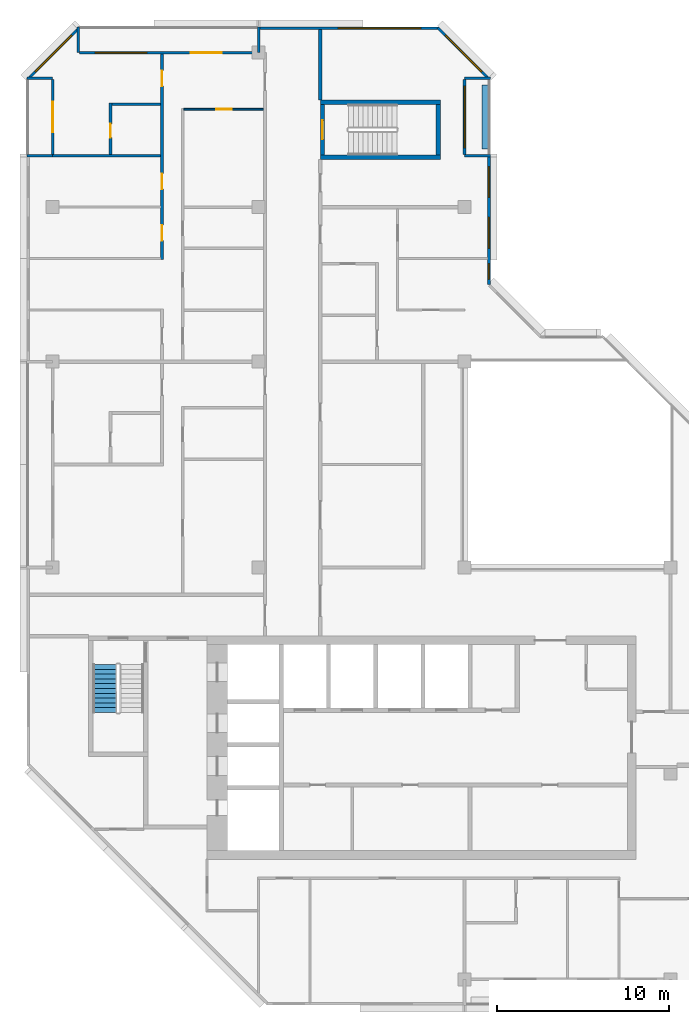
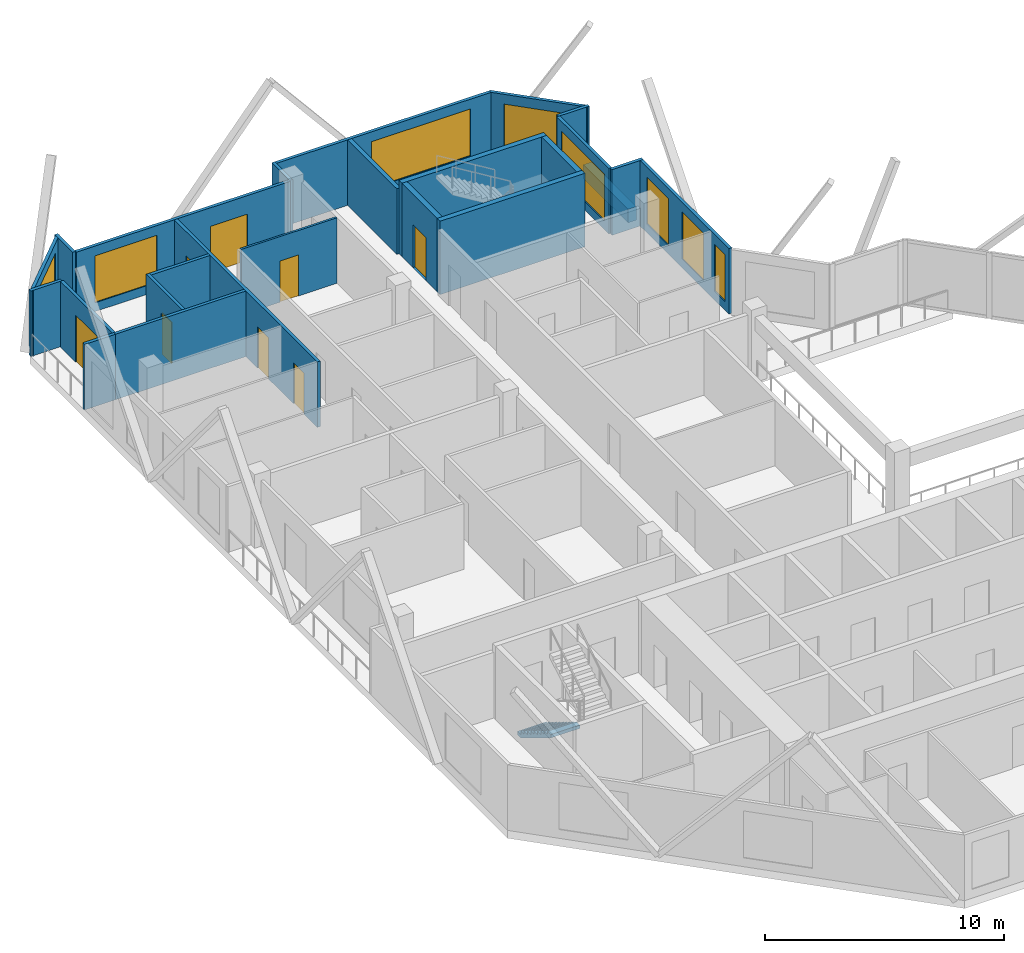
# One storey, part 9 of 12: 24 walls, 8 doors, 8 windows, 1 stair flight, 16 openings, 1 element without a shape of its own.
"""IFC4 building model written with IfcOpenShell, lengths in metres."""

from ifc_helpers import new_model, si_unit, direction, frame, frame_2d, origin, place, context, subcontext, project, spatial, polyline, rectangle, outline, extrude, material, layer, layer_set, type_object, element, fill, aggregate, save


model = new_model("IFC4")

# Units and contexts
model_context = context("Model", 3, precision=1e-05, world=origin(), true_north=direction((0.0, 1.0)))
body_context = subcontext(model_context, "Body", "Model", "MODEL_VIEW")
ifc_project = project(units=[si_unit("LENGTHUNIT", "METRE"), si_unit("AREAUNIT", "SQUARE_METRE"), si_unit("VOLUMEUNIT", "CUBIC_METRE"), si_unit("PLANEANGLEUNIT", "RADIAN"), si_unit("MASSUNIT", "GRAM", prefix="KILO")], contexts=[model_context])

# Site, building, storey
site_placement = place(None, origin())
site = spatial("IfcSite", under=ifc_project, at=site_placement, CompositionType="ELEMENT")
building_placement = place(site_placement, origin())
building = spatial("IfcBuilding", under=site, at=building_placement, Name="Chenar Terraces", CompositionType="ELEMENT")
storey_placement = place(building_placement, frame((0.0, 0.0, 338.89990234375)))
storey = spatial("IfcBuildingStorey", under=building, at=storey_placement, Name="L78", CompositionType="ELEMENT", Elevation=338.89990234375)

# Walls
ifc_material_1 = material(Name="Concrete C50/60", Category="concrete")
ifc_layer_1 = layer(ifc_material_1, 0.25)
ifc_layer_set_1 = layer_set([ifc_layer_1], Name="Concrete C50/60")
wall_type_1 = type_object("IfcWallType", Name="Core wall 250 Concrete C50/60", PredefinedType="SHEAR", material=ifc_layer_set_1)
for number, where, z_axis, x_axis, name in (
    (1, (15.60009765625, 47.89990234375, 0.0), (0.0, 0.0, 1.0), (1.0, 0.0, 0.0), "Core wall ST4_S L78"),
    (2, (15.60009765625, 51.10009765625, 0.0), (0.0, 0.0, 1.0), (1.0, 0.0, 0.0), "Core wall ST4_N L78"),
):
    element("IfcWall", number, at=place(storey_placement, frame(where, z_axis=z_axis, x_axis=x_axis)), inside=storey, type_object=wall_type_1, Name=name, PredefinedType="SHEAR", context=body_context, shape_type="SweptSolid", body=[
        extrude(rectangle(XDim=7.0, YDim=0.25, at=frame_2d((3.5, 0.0))), origin(), (0.0, 0.0, 1.0), 3.75),
    ])

# Wall, opening, door
wall_1_placement = place(storey_placement, frame((15.72509765625, 48.02490234375, 0.0), z_axis=(0.0, 0.0, 1.0), x_axis=(0.0, 1.0, 0.0)))
wall_1 = element("IfcWall", 3, at=wall_1_placement, inside=storey, type_object=wall_type_1, Name="Core wall ST4_W L78", PredefinedType="SHEAR", context=body_context, shape_type="SweptSolid", body=[
    extrude(rectangle(XDim=2.9501953125, YDim=0.25, at=frame_2d((1.47509765625, 0.0))), origin(), (0.0, 0.0, 1.0), 3.75),
])
opening_1_placement = place(wall_1_placement, frame((0.925048828125, 0.0, 0.0)))
opening_1 = element("IfcOpeningElement", 4, at=opening_1_placement, cuts=wall_1, Name="Opening DL78-C9", PredefinedType="OPENING", context=body_context, shape_type="SweptSolid", body=[
    extrude(rectangle(XDim=1.10009765625, YDim=2.199951171875, at=frame_2d((0.550048828125, 1.10009765625))), frame((0.0, 0.135009765625, 0.0), z_axis=(0.0, -1.0, 0.0), x_axis=(1.0, 0.0, 0.0)), (0.0, 0.0, 1.0), 0.27001953125),
])
ifc_material_2 = material(Name="Steel-framed fire-resisting door leaf", Category="steel")
door_type_1 = type_object("IfcDoorType", Name="Stair fire door FD60 1100 x 2200", OperationType="SINGLE_SWING_LEFT", PredefinedType="DOOR", material=ifc_material_2)
door_1_placement = place(opening_1_placement, frame((1.10009765625, 0.0, 0.0), z_axis=(0.0, 0.0, 1.0), x_axis=(-1.0, 0.0, 0.0)))
door_1 = element("IfcDoor", 5, at=door_1_placement, inside=storey, type_object=door_type_1, Name="Stair door DL78-C9", OperationType="SINGLE_SWING_RIGHT", OverallHeight=2.199951171875, OverallWidth=1.10009765625, PredefinedType="DOOR", context=body_context, shape_type="SweptSolid", body=[
    extrude(rectangle(XDim=1.10009765625, YDim=2.199951171875, at=frame_2d((0.550048828125, 1.10009765625))), frame((0.0, 0.02490234375, 0.0), z_axis=(0.0, -1.0, 0.0), x_axis=(1.0, 0.0, 0.0)), (0.0, 0.0, 1.0), 0.050048828125),
])
fill(opening_1, door_1)

# Walls
wall_2_placement = place(storey_placement, frame((22.47509765625, 48.02490234375, 0.0), z_axis=(0.0, 0.0, 1.0), x_axis=(0.0, 1.0, 0.0)))
element("IfcWall", 6, at=wall_2_placement, inside=storey, type_object=wall_type_1, Name="Core wall ST4_E L78", PredefinedType="SHEAR", context=body_context, shape_type="SweptSolid", body=[
    extrude(rectangle(XDim=2.9501953125, YDim=0.25, at=frame_2d((1.47509765625, 0.0))), origin(), (0.0, 0.0, 1.0), 3.75),
])
ifc_material_3 = material(Name="Gypsum board on steel studs with fire boards", Category="steel")
ifc_layer_2 = layer(ifc_material_3, 0.199951171875)
ifc_layer_set_2 = layer_set([ifc_layer_2], Name="Gypsum board on steel studs with fire boards")
wall_type_2 = type_object("IfcWallType", Name="Corridor wall 200", PredefinedType="PARTITIONING", material=ifc_layer_set_2)
wall_3_placement = place(storey_placement, frame((15.60009765625, 51.22509765625, 0.0), z_axis=(0.0, 0.0, 1.0), x_axis=(0.0, 1.0, 0.0)))
element("IfcWall", 7, at=wall_3_placement, inside=storey, type_object=wall_type_2, Name="Partition L78-032", PredefinedType="PARTITIONING", context=body_context, shape_type="SweptSolid", body=[
    extrude(rectangle(XDim=4.125, YDim=0.199951171875, at=frame_2d((2.0625, 0.0))), origin(), (0.0, 0.0, 1.0), 3.35009765625),
])

# Wall, openings, windows
ifc_material_4 = material(Name="Aluminium framed glazing", Category="aluminium")
ifc_layer_3 = layer(ifc_material_4, 0.14990234375)
ifc_layer_set_3 = layer_set([ifc_layer_3], Name="Aluminium framed glazing")
wall_type_3 = type_object("IfcWallType", Name="Glazed flush facade wall 150", PredefinedType="SOLIDWALL", material=ifc_layer_set_3)
wall_4_placement = place(storey_placement, frame((25.425048828125, 40.5, 0.0), z_axis=(0.0, 0.0, 1.0), x_axis=(0.0, 1.0, 0.0)))
wall_4 = element("IfcWall", 8, at=wall_4_placement, inside=storey, type_object=wall_type_3, Name="Glazed flush facade wall", PredefinedType="SOLIDWALL", context=body_context, shape_type="SweptSolid", body=[
    extrude(rectangle(XDim=7.425048828125, YDim=0.14990234375, at=frame_2d((3.71240234375, 0.0))), origin(), (0.0, 0.0, 1.0), 3.35009765625),
])
opening_2_placement = place(wall_4_placement, frame((0.300048828125, 0.0, 0.449951171875)))
opening_2 = element("IfcOpeningElement", 9, at=opening_2_placement, cuts=wall_4, Name="Opening W90x240", PredefinedType="OPENING", context=body_context, shape_type="SweptSolid", body=[
    extrude(rectangle(XDim=0.89990234375, YDim=2.39990234375, at=frame_2d((0.449951171875, 1.199951171875))), frame((0.0, 0.0849609375, 0.0), z_axis=(0.0, -1.0, 0.0), x_axis=(1.0, 0.0, 0.0)), (0.0, 0.0, 1.0), 0.169921875),
])
opening_3_placement = place(wall_4_placement, frame((2.10009765625, 0.0, 0.449951171875)))
opening_3 = element("IfcOpeningElement", 10, at=opening_3_placement, cuts=wall_4, Name="Opening W180x240", PredefinedType="OPENING", context=body_context, shape_type="SweptSolid", body=[
    extrude(rectangle(XDim=1.800048828125, YDim=2.39990234375, at=frame_2d((0.89990234375, 1.199951171875))), frame((0.0, 0.0849609375, 0.0), z_axis=(0.0, -1.0, 0.0), x_axis=(1.0, 0.0, 0.0)), (0.0, 0.0, 1.0), 0.169921875),
])
opening_4_placement = place(wall_4_placement, frame((5.0625, 0.0, 0.449951171875)))
opening_4 = element("IfcOpeningElement", 11, at=opening_4_placement, cuts=wall_4, Name="Opening W180x240", PredefinedType="OPENING", context=body_context, shape_type="SweptSolid", body=[
    extrude(rectangle(XDim=1.800048828125, YDim=2.39990234375, at=frame_2d((0.89990234375, 1.199951171875))), frame((0.0, 0.0849609375, 0.0), z_axis=(0.0, -1.0, 0.0), x_axis=(1.0, 0.0, 0.0)), (0.0, 0.0, 1.0), 0.169921875),
])
ifc_material_5 = material(Name="Low emissivity double glazing, aluminium frame", Category="aluminium")
window_type_1 = type_object("IfcWindowType", Name="Fixed light 1800 x 2400", PartitioningType="SINGLE_PANEL", PredefinedType="WINDOW", material=ifc_material_5)
window_1_placement = place(opening_3_placement, origin())
window_1 = element("IfcWindow", 12, at=window_1_placement, inside=storey, type_object=window_type_1, Name="Window", OverallHeight=2.39990234375, OverallWidth=1.800048828125, PartitioningType="SINGLE_PANEL", PredefinedType="WINDOW", context=body_context, shape_type="SweptSolid", body=[
    extrude(rectangle(XDim=1.800048828125, YDim=2.39990234375, at=frame_2d((0.89990234375, 1.199951171875))), frame((0.0, 0.030029296875, 0.0), z_axis=(0.0, -1.0, 0.0), x_axis=(1.0, 0.0, 0.0)), (0.0, 0.0, 1.0), 0.06005859375),
])
fill(opening_3, window_1)
window_2_placement = place(opening_4_placement, origin())
window_2 = element("IfcWindow", 13, at=window_2_placement, inside=storey, type_object=window_type_1, Name="Window", OverallHeight=2.39990234375, OverallWidth=1.800048828125, PartitioningType="SINGLE_PANEL", PredefinedType="WINDOW", context=body_context, shape_type="SweptSolid", body=[
    extrude(rectangle(XDim=1.800048828125, YDim=2.39990234375, at=frame_2d((0.89990234375, 1.199951171875))), frame((0.0, 0.030029296875, 0.0), z_axis=(0.0, -1.0, 0.0), x_axis=(1.0, 0.0, 0.0)), (0.0, 0.0, 1.0), 0.06005859375),
])
fill(opening_4, window_2)
ifc_material_6 = material(Name="Low emissivity double glazing, aluminium frame", Category="aluminium")
window_type_2 = type_object("IfcWindowType", Name="Fixed light 900 x 2400", PartitioningType="SINGLE_PANEL", PredefinedType="WINDOW", material=ifc_material_6)
window_3_placement = place(opening_2_placement, origin())
window_3 = element("IfcWindow", 14, at=window_3_placement, inside=storey, type_object=window_type_2, Name="Window", OverallHeight=2.39990234375, OverallWidth=0.89990234375, PartitioningType="SINGLE_PANEL", PredefinedType="WINDOW", context=body_context, shape_type="SweptSolid", body=[
    extrude(rectangle(XDim=0.89990234375, YDim=2.39990234375, at=frame_2d((0.449951171875, 1.199951171875))), frame((0.0, 0.030029296875, 0.0), z_axis=(0.0, -1.0, 0.0), x_axis=(1.0, 0.0, 0.0)), (0.0, 0.0, 1.0), 0.06005859375),
])
fill(opening_2, window_3)

# Wall, opening, window
wall_5_placement = place(storey_placement, frame((22.5, 55.425048828125, 0.0), z_axis=(0.0, 0.0, 1.0), x_axis=(-1.0, 0.0, 0.0)))
wall_5 = element("IfcWall", 15, at=wall_5_placement, inside=storey, type_object=wall_type_3, Name="Glazed flush facade wall", PredefinedType="SOLIDWALL", context=body_context, shape_type="SweptSolid", body=[
    extrude(rectangle(XDim=10.425048828125, YDim=0.14990234375, at=frame_2d((5.21240234375, 0.0))), origin(), (0.0, 0.0, 1.0), 3.35009765625),
])
opening_5_placement = place(wall_5_placement, frame((1.050048828125, 0.0, 0.449951171875)))
opening_5 = element("IfcOpeningElement", 16, at=opening_5_placement, cuts=wall_5, Name="Opening W480x240", PredefinedType="OPENING", context=body_context, shape_type="SweptSolid", body=[
    extrude(rectangle(XDim=4.800048828125, YDim=2.39990234375, at=frame_2d((2.39990234375, 1.199951171875))), frame((0.0, 0.0849609375, 0.0), z_axis=(0.0, -1.0, 0.0), x_axis=(1.0, 0.0, 0.0)), (0.0, 0.0, 1.0), 0.169921875),
])
ifc_material_7 = material(Name="Low emissivity double glazing, aluminium frame", Category="aluminium")
window_type_3 = type_object("IfcWindowType", Name="Fixed light 4800 x 2400", PartitioningType="SINGLE_PANEL", PredefinedType="WINDOW", material=ifc_material_7)
window_4_placement = place(opening_5_placement, origin())
window_4 = element("IfcWindow", 17, at=window_4_placement, inside=storey, type_object=window_type_3, Name="Window", OverallHeight=2.39990234375, OverallWidth=4.800048828125, PartitioningType="SINGLE_PANEL", PredefinedType="WINDOW", context=body_context, shape_type="SweptSolid", body=[
    extrude(rectangle(XDim=4.800048828125, YDim=2.39990234375, at=frame_2d((2.39990234375, 1.199951171875))), frame((0.0, 0.030029296875, 0.0), z_axis=(0.0, -1.0, 0.0), x_axis=(1.0, 0.0, 0.0)), (0.0, 0.0, 1.0), 0.06005859375),
])
fill(opening_5, window_4)

ifc_material_8 = material(Name="Aluminium framed glazing", Category="aluminium")
ifc_layer_4 = layer(ifc_material_8, 0.14990234375)
ifc_layer_set_4 = layer_set([ifc_layer_4], Name="Aluminium framed glazing")
wall_type_4 = type_object("IfcWallType", Name="Glazed loggia back wall 150", PredefinedType="SOLIDWALL", material=ifc_layer_set_4)
wall_6_placement = place(storey_placement, frame((24.0, 48.074951171875, 0.0), z_axis=(0.0, 0.0, 1.0), x_axis=(0.0, 1.0, 0.0)))
wall_6 = element("IfcWall", 18, at=wall_6_placement, inside=storey, type_object=wall_type_4, Name="Glazed loggia back wall", PredefinedType="SOLIDWALL", context=body_context, shape_type="SweptSolid", body=[
    extrude(rectangle(XDim=4.35009765625, YDim=0.14990234375, at=frame_2d((2.175048828125, 0.0))), origin(), (0.0, 0.0, 1.0), 3.35009765625),
])
opening_6_placement = place(wall_6_placement, frame((0.375, 0.0, 0.449951171875)))
opening_6 = element("IfcOpeningElement", 19, at=opening_6_placement, cuts=wall_6, Name="Opening W360x240", PredefinedType="OPENING", context=body_context, shape_type="SweptSolid", body=[
    extrude(rectangle(XDim=3.60009765625, YDim=2.39990234375, at=frame_2d((1.800048828125, 1.199951171875))), frame((0.0, 0.0849609375, 0.0), z_axis=(0.0, -1.0, 0.0), x_axis=(1.0, 0.0, 0.0)), (0.0, 0.0, 1.0), 0.169921875),
])
ifc_material_9 = material(Name="Low emissivity double glazing, aluminium frame", Category="aluminium")
window_type_4 = type_object("IfcWindowType", Name="Fixed light 3600 x 2400", PartitioningType="SINGLE_PANEL", PredefinedType="WINDOW", material=ifc_material_9)
window_5_placement = place(opening_6_placement, origin())
window_5 = element("IfcWindow", 20, at=window_5_placement, inside=storey, type_object=window_type_4, Name="Window", OverallHeight=2.39990234375, OverallWidth=3.60009765625, PartitioningType="SINGLE_PANEL", PredefinedType="WINDOW", context=body_context, shape_type="SweptSolid", body=[
    extrude(rectangle(XDim=3.60009765625, YDim=2.39990234375, at=frame_2d((1.800048828125, 1.199951171875))), frame((0.0, 0.030029296875, 0.0), z_axis=(0.0, -1.0, 0.0), x_axis=(1.0, 0.0, 0.0)), (0.0, 0.0, 1.0), 0.06005859375),
])
fill(opening_6, window_5)

# Wall, openings, window, door
wall_7_placement = place(storey_placement, frame((11.925048828125, 54.0, 0.0), z_axis=(0.0, 0.0, 1.0), x_axis=(-1.0, 0.0, 0.0)))
wall_7 = element("IfcWall", 21, at=wall_7_placement, inside=storey, type_object=wall_type_4, Name="Glazed loggia back wall", PredefinedType="SOLIDWALL", context=body_context, shape_type="SweptSolid", body=[
    extrude(rectangle(XDim=10.35009765625, YDim=0.14990234375, at=frame_2d((5.175048828125, 0.0))), origin(), (0.0, 0.0, 1.0), 3.35009765625),
])
opening_7_placement = place(wall_7_placement, frame((2.074951171875, 0.0, 0.0)))
opening_7 = element("IfcOpeningElement", 22, at=opening_7_placement, cuts=wall_7, Name="Opening DL78-G1", PredefinedType="OPENING", context=body_context, shape_type="SweptSolid", body=[
    extrude(rectangle(XDim=1.800048828125, YDim=2.39990234375, at=frame_2d((0.89990234375, 1.199951171875))), frame((0.0, 0.0849609375, 0.0), z_axis=(0.0, -1.0, 0.0), x_axis=(1.0, 0.0, 0.0)), (0.0, 0.0, 1.0), 0.169921875),
])
opening_8_placement = place(wall_7_placement, frame((6.449951171875, 0.0, 0.449951171875)))
opening_8 = element("IfcOpeningElement", 23, at=opening_8_placement, cuts=wall_7, Name="Opening W300x240", PredefinedType="OPENING", context=body_context, shape_type="SweptSolid", body=[
    extrude(rectangle(XDim=3.0, YDim=2.39990234375, at=frame_2d((1.5, 1.199951171875))), frame((0.0, 0.0849609375, 0.0), z_axis=(0.0, -1.0, 0.0), x_axis=(1.0, 0.0, 0.0)), (0.0, 0.0, 1.0), 0.169921875),
])
ifc_material_10 = material(Name="Low emissivity double glazing, aluminium frame", Category="aluminium")
window_type_5 = type_object("IfcWindowType", Name="Fixed light 3000 x 2400", PartitioningType="SINGLE_PANEL", PredefinedType="WINDOW", material=ifc_material_10)
window_6_placement = place(opening_8_placement, origin())
window_6 = element("IfcWindow", 24, at=window_6_placement, inside=storey, type_object=window_type_5, Name="Window", OverallHeight=2.39990234375, OverallWidth=3.0, PartitioningType="SINGLE_PANEL", PredefinedType="WINDOW", context=body_context, shape_type="SweptSolid", body=[
    extrude(rectangle(XDim=3.0, YDim=2.39990234375, at=frame_2d((1.5, 1.199951171875))), frame((0.0, 0.030029296875, 0.0), z_axis=(0.0, -1.0, 0.0), x_axis=(1.0, 0.0, 0.0)), (0.0, 0.0, 1.0), 0.06005859375),
])
fill(opening_8, window_6)
ifc_material_11 = material(Name="Low emissivity double glazing, aluminium frame", Category="aluminium")
door_type_2 = type_object("IfcDoorType", Name="Loggia glazed double door 1800 x 2400", OperationType="DOUBLE_DOOR_SINGLE_SWING", PredefinedType="DOOR", material=ifc_material_11)
door_2_placement = place(opening_7_placement, frame((1.800048828125, 0.0, 0.0), z_axis=(0.0, 0.0, 1.0), x_axis=(-1.0, 0.0, 0.0)))
door_2 = element("IfcDoor", 25, at=door_2_placement, inside=storey, type_object=door_type_2, Name="Loggia glazed door", OperationType="DOUBLE_DOOR_SINGLE_SWING", OverallHeight=2.39990234375, OverallWidth=1.800048828125, PredefinedType="DOOR", context=body_context, shape_type="SweptSolid", body=[
    extrude(rectangle(XDim=1.800048828125, YDim=2.39990234375, at=frame_2d((0.89990234375, 1.199951171875))), frame((0.0, 0.02490234375, 0.0), z_axis=(0.0, -1.0, 0.0), x_axis=(1.0, 0.0, 0.0)), (0.0, 0.0, 1.0), 0.050048828125),
])
fill(opening_7, door_2)

# Wall, opening, door
wall_8_placement = place(storey_placement, frame((0.0, 52.425048828125, 0.0), z_axis=(0.0, 0.0, 1.0), x_axis=(0.0, -1.0, 0.0)))
wall_8 = element("IfcWall", 26, at=wall_8_placement, inside=storey, type_object=wall_type_4, Name="Glazed loggia back wall", PredefinedType="SOLIDWALL", context=body_context, shape_type="SweptSolid", body=[
    extrude(rectangle(XDim=4.35009765625, YDim=0.14990234375, at=frame_2d((2.175048828125, 0.0))), origin(), (0.0, 0.0, 1.0), 3.35009765625),
])
opening_9_placement = place(wall_8_placement, frame((1.27490234375, 0.0, 0.0)))
opening_9 = element("IfcOpeningElement", 27, at=opening_9_placement, cuts=wall_8, Name="Opening DL78-G2", PredefinedType="OPENING", context=body_context, shape_type="SweptSolid", body=[
    extrude(rectangle(XDim=1.800048828125, YDim=2.39990234375, at=frame_2d((0.89990234375, 1.199951171875))), frame((0.0, 0.0849609375, 0.0), z_axis=(0.0, -1.0, 0.0), x_axis=(1.0, 0.0, 0.0)), (0.0, 0.0, 1.0), 0.169921875),
])
door_3_placement = place(opening_9_placement, frame((1.800048828125, 0.0, 0.0), z_axis=(0.0, 0.0, 1.0), x_axis=(-1.0, 0.0, 0.0)))
door_3 = element("IfcDoor", 28, at=door_3_placement, inside=storey, type_object=door_type_2, Name="Loggia glazed door", OperationType="DOUBLE_DOOR_SINGLE_SWING", OverallHeight=2.39990234375, OverallWidth=1.800048828125, PredefinedType="DOOR", context=body_context, shape_type="SweptSolid", body=[
    extrude(rectangle(XDim=1.800048828125, YDim=2.39990234375, at=frame_2d((0.89990234375, 1.199951171875))), frame((0.0, 0.02490234375, 0.0), z_axis=(0.0, -1.0, 0.0), x_axis=(1.0, 0.0, 0.0)), (0.0, 0.0, 1.0), 0.050048828125),
])
fill(opening_9, door_3)

ifc_material_12 = material(Name="Gypsum board on steel studs", Category="steel")
ifc_layer_5 = layer(ifc_material_12, 0.10009765625)
ifc_layer_set_5 = layer_set([ifc_layer_5], Name="Gypsum board on steel studs")
wall_type_5 = type_object("IfcWallType", Name="Gypsum partition 100", PredefinedType="PARTITIONING", material=ifc_layer_set_5)
wall_9_placement = place(storey_placement, frame((7.64990234375, 50.699951171875, 0.0), z_axis=(0.0, 0.0, 1.0), x_axis=(1.0, 0.0, 0.0)))
wall_9 = element("IfcWall", 29, at=wall_9_placement, inside=storey, type_object=wall_type_5, Name="Partition L78-024", PredefinedType="PARTITIONING", context=body_context, shape_type="SweptSolid", body=[
    extrude(rectangle(XDim=4.625, YDim=0.10009765625, at=frame_2d((2.3125, 0.0))), origin(), (0.0, 0.0, 1.0), 3.35009765625),
])
opening_10_placement = place(wall_9_placement, frame((1.875, 0.0, 0.0)))
opening_10 = element("IfcOpeningElement", 30, at=opening_10_placement, cuts=wall_9, Name="Opening DL78-14", PredefinedType="OPENING", context=body_context, shape_type="SweptSolid", body=[
    extrude(rectangle(XDim=0.89990234375, YDim=2.10009765625, at=frame_2d((0.449951171875, 1.050048828125))), frame((0.0, 0.06005859375, 0.0), z_axis=(0.0, -1.0, 0.0), x_axis=(1.0, 0.0, 0.0)), (0.0, 0.0, 1.0), 0.1201171875),
])
ifc_material_13 = material(Name="Veneered timber door leaf", Category="wood")
door_type_3 = type_object("IfcDoorType", Name="Door 900 x 2100", OperationType="SINGLE_SWING_LEFT", PredefinedType="DOOR", material=ifc_material_13)
door_4_placement = place(opening_10_placement, frame((0.89990234375, 0.0, 0.0), z_axis=(0.0, 0.0, 1.0), x_axis=(-1.0, 0.0, 0.0)))
door_4 = element("IfcDoor", 31, at=door_4_placement, inside=storey, type_object=door_type_3, Name="Door DL78-14", OperationType="SINGLE_SWING_RIGHT", OverallHeight=2.10009765625, OverallWidth=0.89990234375, PredefinedType="DOOR", context=body_context, shape_type="SweptSolid", body=[
    extrude(rectangle(XDim=0.89990234375, YDim=2.10009765625, at=frame_2d((0.449951171875, 1.050048828125))), frame((0.0, 0.02490234375, 0.0), z_axis=(0.0, -1.0, 0.0), x_axis=(1.0, 0.0, 0.0)), (0.0, 0.0, 1.0), 0.050048828125),
])
fill(opening_10, door_4)

# Walls
ifc_material_14 = material(Name="Terracotta cladding on insulated backing", Category="masonry")
ifc_layer_6 = layer(ifc_material_14, 0.14990234375)
ifc_layer_set_6 = layer_set([ifc_layer_6], Name="Terracotta cladding on insulated backing")
wall_type_6 = type_object("IfcWallType", Name="Loggia return wall 150", PredefinedType="SOLIDWALL", material=ifc_layer_set_6)
for number, where, z_axis, x_axis, name in (
    (32, (25.5, 48.0, 0.0), (0.0, 0.0, 1.0), (-1.0, 0.0, 0.0), "Loggia return wall"),
    (33, (25.5, 52.5, 0.0), (0.0, 0.0, 1.0), (-1.0, 0.0, 0.0), "Loggia return wall"),
    (34, (12.0, 55.5, 0.0), (0.0, 0.0, 1.0), (0.0, -1.0, 0.0), "Loggia return wall"),
    (35, (1.5, 55.5, 0.0), (0.0, 0.0, 1.0), (0.0, -1.0, 0.0), "Loggia return wall"),
    (36, (-1.5, 52.5, 0.0), (0.0, 0.0, 1.0), (1.0, 0.0, 0.0), "Loggia return wall"),
    (37, (-1.5, 48.0, 0.0), (0.0, 0.0, 1.0), (1.0, 0.0, 0.0), "Loggia return wall"),
):
    element("IfcWall", number, at=place(storey_placement, frame(where, z_axis=z_axis, x_axis=x_axis)), inside=storey, type_object=wall_type_6, Name=name, PredefinedType="SOLIDWALL", context=body_context, shape_type="SweptSolid", body=[
        extrude(rectangle(XDim=1.5, YDim=0.14990234375, at=frame_2d((0.75, 0.0))), origin(), (0.0, 0.0, 1.0), 3.35009765625),
    ])

# Wall, opening, window
ifc_material_15 = material(Name="Terracotta cladding on insulated backing", Category="masonry")
ifc_layer_7 = layer(ifc_material_15, 0.14990234375)
ifc_layer_set_7 = layer_set([ifc_layer_7], Name="Terracotta cladding on insulated backing")
wall_type_7 = type_object("IfcWallType", Name="Terracotta rainscreen wall 150", PredefinedType="SOLIDWALL", material=ifc_layer_set_7)
wall_10_placement = place(storey_placement, frame((25.447021484375, 52.447021484375, 0.0), z_axis=(0.0, 0.0, 1.0), x_axis=(-0.707106781187, 0.707106781187, 0.0)))
wall_10 = element("IfcWall", 38, at=wall_10_placement, inside=storey, type_object=wall_type_7, Name="Terracotta rainscreen wall", PredefinedType="SOLIDWALL", context=body_context, shape_type="SweptSolid", body=[
    extrude(rectangle(XDim=4.24267578125, YDim=0.14990234375, at=frame_2d((2.121337890625, 0.0))), origin(), (0.0, 0.0, 1.0), 3.35009765625),
])
opening_11_placement = place(wall_10_placement, frame((0.621337890625, 0.0, 0.449951171875)))
opening_11 = element("IfcOpeningElement", 39, at=opening_11_placement, cuts=wall_10, Name="Opening W300x240", PredefinedType="OPENING", context=body_context, shape_type="SweptSolid", body=[
    extrude(rectangle(XDim=3.0, YDim=2.39990234375, at=frame_2d((1.5, 1.199951171875))), frame((0.0, 0.0849609375, 0.0), z_axis=(0.0, -1.0, 0.0), x_axis=(1.0, 0.0, 0.0)), (0.0, 0.0, 1.0), 0.169921875),
])
window_7_placement = place(opening_11_placement, origin())
window_7 = element("IfcWindow", 40, at=window_7_placement, inside=storey, type_object=window_type_5, Name="Window", OverallHeight=2.39990234375, OverallWidth=3.0, PartitioningType="SINGLE_PANEL", PredefinedType="WINDOW", context=body_context, shape_type="SweptSolid", body=[
    extrude(rectangle(XDim=3.0, YDim=2.39990234375, at=frame_2d((1.5, 1.199951171875))), frame((0.0, 0.030029296875, 0.0), z_axis=(0.0, -1.0, 0.0), x_axis=(1.0, 0.0, 0.0)), (0.0, 0.0, 1.0), 0.06005859375),
])
fill(opening_11, window_7)

wall_11_placement = place(storey_placement, frame((1.552978515625, 55.447021484375, 0.0), z_axis=(0.0, 0.0, 1.0), x_axis=(-0.707106781187, -0.707106781187, 0.0)))
wall_11 = element("IfcWall", 41, at=wall_11_placement, inside=storey, type_object=wall_type_7, Name="Terracotta rainscreen wall", PredefinedType="SOLIDWALL", context=body_context, shape_type="SweptSolid", body=[
    extrude(rectangle(XDim=4.24267578125, YDim=0.14990234375, at=frame_2d((2.121337890625, 0.0))), origin(), (0.0, 0.0, 1.0), 3.35009765625),
])
opening_12_placement = place(wall_11_placement, frame((0.621337890625, 0.0, 0.449951171875)))
opening_12 = element("IfcOpeningElement", 42, at=opening_12_placement, cuts=wall_11, Name="Opening W300x240", PredefinedType="OPENING", context=body_context, shape_type="SweptSolid", body=[
    extrude(rectangle(XDim=3.0, YDim=2.39990234375, at=frame_2d((1.5, 1.199951171875))), frame((0.0, 0.0849609375, 0.0), z_axis=(0.0, -1.0, 0.0), x_axis=(1.0, 0.0, 0.0)), (0.0, 0.0, 1.0), 0.169921875),
])
window_8_placement = place(opening_12_placement, origin())
window_8 = element("IfcWindow", 43, at=window_8_placement, inside=storey, type_object=window_type_5, Name="Window", OverallHeight=2.39990234375, OverallWidth=3.0, PartitioningType="SINGLE_PANEL", PredefinedType="WINDOW", context=body_context, shape_type="SweptSolid", body=[
    extrude(rectangle(XDim=3.0, YDim=2.39990234375, at=frame_2d((1.5, 1.199951171875))), frame((0.0, 0.030029296875, 0.0), z_axis=(0.0, -1.0, 0.0), x_axis=(1.0, 0.0, 0.0)), (0.0, 0.0, 1.0), 0.06005859375),
])
fill(opening_12, window_8)

# Walls
ifc_material_16 = material(Name="GRP planter trough")
ifc_layer_8 = layer(ifc_material_16, 0.39990234375)
ifc_layer_set_8 = layer_set([ifc_layer_8], Name="GRP planter trough")
wall_type_8 = type_object("IfcWallType", Name="Vertical greenery planter 400", PredefinedType="SOLIDWALL", material=ifc_layer_set_8)
wall_12_placement = place(storey_placement, frame((25.22900390625, 48.375, 0.0), z_axis=(0.0, 0.0, 1.0), x_axis=(0.0, 1.0, 0.0)))
element("IfcWall", 44, at=wall_12_placement, inside=storey, type_object=wall_type_8, Name="Vertical greenery planter", PredefinedType="SOLIDWALL", context=body_context, shape_type="SweptSolid", body=[
    extrude(rectangle(XDim=3.75, YDim=0.39990234375, at=frame_2d((1.875, 0.0))), origin(), (0.0, 0.0, 1.0), 0.7001953125),
])
ifc_material_17 = material(Name="Moisture-resistant gypsum board on steel studs", Category="steel")
ifc_layer_9 = layer(ifc_material_17, 0.14990234375)
ifc_layer_set_9 = layer_set([ifc_layer_9], Name="Moisture-resistant gypsum board on steel studs")
wall_type_9 = type_object("IfcWallType", Name="Wet-room partition 150", PredefinedType="PARTITIONING", material=ifc_layer_set_9)
wall_13_placement = place(storey_placement, frame((0.0, 48.0, 0.0), z_axis=(0.0, 0.0, 1.0), x_axis=(1.0, 0.0, 0.0)))
element("IfcWall", 45, at=wall_13_placement, inside=storey, type_object=wall_type_9, Name="Partition L78-007", PredefinedType="PARTITIONING", context=body_context, shape_type="SweptSolid", body=[
    extrude(rectangle(XDim=6.300048828125, YDim=0.14990234375, at=frame_2d((3.14990234375, 0.0))), origin(), (0.0, 0.0, 1.0), 3.35009765625),
])

# Wall, opening, door
wall_14_placement = place(storey_placement, frame((3.375, 48.074951171875, 0.0), z_axis=(0.0, 0.0, 1.0), x_axis=(0.0, 1.0, 0.0)))
wall_14 = element("IfcWall", 46, at=wall_14_placement, inside=storey, type_object=wall_type_9, Name="Partition L78-011", PredefinedType="PARTITIONING", context=body_context, shape_type="SweptSolid", body=[
    extrude(rectangle(XDim=3.0, YDim=0.14990234375, at=frame_2d((1.5, 0.0))), origin(), (0.0, 0.0, 1.0), 3.35009765625),
])
opening_13_placement = place(wall_14_placement, frame((0.97509765625, 0.0, 0.0)))
opening_13 = element("IfcOpeningElement", 47, at=opening_13_placement, cuts=wall_14, Name="Opening DL78-13", PredefinedType="OPENING", context=body_context, shape_type="SweptSolid", body=[
    extrude(rectangle(XDim=0.800048828125, YDim=2.10009765625, at=frame_2d((0.39990234375, 1.050048828125))), frame((0.0, 0.0849609375, 0.0), z_axis=(0.0, -1.0, 0.0), x_axis=(1.0, 0.0, 0.0)), (0.0, 0.0, 1.0), 0.169921875),
])
ifc_material_18 = material(Name="Veneered timber door leaf", Category="wood")
door_type_4 = type_object("IfcDoorType", Name="Door 800 x 2100", OperationType="SINGLE_SWING_LEFT", PredefinedType="DOOR", material=ifc_material_18)
door_5_placement = place(opening_13_placement, frame((0.800048828125, 0.0, 0.0), z_axis=(0.0, 0.0, 1.0), x_axis=(-1.0, 0.0, 0.0)))
door_5 = element("IfcDoor", 48, at=door_5_placement, inside=storey, type_object=door_type_4, Name="Door DL78-13", OperationType="SINGLE_SWING_RIGHT", OverallHeight=2.10009765625, OverallWidth=0.800048828125, PredefinedType="DOOR", context=body_context, shape_type="SweptSolid", body=[
    extrude(rectangle(XDim=0.800048828125, YDim=2.10009765625, at=frame_2d((0.39990234375, 1.050048828125))), frame((0.0, 0.02490234375, 0.0), z_axis=(0.0, -1.0, 0.0), x_axis=(1.0, 0.0, 0.0)), (0.0, 0.0, 1.0), 0.050048828125),
])
fill(opening_13, door_5)

# Wall
wall_15_placement = place(storey_placement, frame((3.449951171875, 51.0, 0.0), z_axis=(0.0, 0.0, 1.0), x_axis=(1.0, 0.0, 0.0)))
element("IfcWall", 49, at=wall_15_placement, inside=storey, type_object=wall_type_9, Name="Partition L78-013", PredefinedType="PARTITIONING", context=body_context, shape_type="SweptSolid", body=[
    extrude(rectangle(XDim=2.85009765625, YDim=0.14990234375, at=frame_2d((1.425048828125, 0.0))), origin(), (0.0, 0.0, 1.0), 3.35009765625),
])

# Wall, openings, doors
wall_16_placement = place(storey_placement, frame((6.375, 41.949951171875, 0.0), z_axis=(0.0, 0.0, 1.0), x_axis=(0.0, 1.0, 0.0)))
wall_16 = element("IfcWall", 50, at=wall_16_placement, inside=storey, type_object=wall_type_9, Name="Partition L78-016", PredefinedType="PARTITIONING", context=body_context, shape_type="SweptSolid", body=[
    extrude(rectangle(XDim=11.97607421875, YDim=0.14990234375, at=frame_2d((5.988037109375, 0.0))), origin(), (0.0, 0.0, 1.0), 3.35009765625),
])
opening_14_placement = place(wall_16_placement, frame((4.10009765625, 0.0, 0.0)))
opening_14 = element("IfcOpeningElement", 51, at=opening_14_placement, cuts=wall_16, Name="Opening DL78-11", PredefinedType="OPENING", context=body_context, shape_type="SweptSolid", body=[
    extrude(rectangle(XDim=0.89990234375, YDim=2.10009765625, at=frame_2d((0.449951171875, 1.050048828125))), frame((0.0, 0.0849609375, 0.0), z_axis=(0.0, -1.0, 0.0), x_axis=(1.0, 0.0, 0.0)), (0.0, 0.0, 1.0), 0.169921875),
])
opening_15_placement = place(wall_16_placement, frame((10.10009765625, 0.0, 0.0)))
opening_15 = element("IfcOpeningElement", 52, at=opening_15_placement, cuts=wall_16, Name="Opening DL78-12", PredefinedType="OPENING", context=body_context, shape_type="SweptSolid", body=[
    extrude(rectangle(XDim=0.89990234375, YDim=2.10009765625, at=frame_2d((0.449951171875, 1.050048828125))), frame((0.0, 0.0849609375, 0.0), z_axis=(0.0, -1.0, 0.0), x_axis=(1.0, 0.0, 0.0)), (0.0, 0.0, 1.0), 0.169921875),
])
opening_16_placement = place(wall_16_placement, frame((1.10009765625, 0.0, 0.0)))
opening_16 = element("IfcOpeningElement", 53, at=opening_16_placement, cuts=wall_16, Name="Opening DL78-17", PredefinedType="OPENING", context=body_context, shape_type="SweptSolid", body=[
    extrude(rectangle(XDim=0.89990234375, YDim=2.10009765625, at=frame_2d((0.449951171875, 1.050048828125))), frame((0.0, 0.0849609375, 0.0), z_axis=(0.0, -1.0, 0.0), x_axis=(1.0, 0.0, 0.0)), (0.0, 0.0, 1.0), 0.169921875),
])
door_6_placement = place(opening_14_placement, origin())
door_6 = element("IfcDoor", 54, at=door_6_placement, inside=storey, type_object=door_type_3, Name="Door DL78-11", OperationType="SINGLE_SWING_LEFT", OverallHeight=2.10009765625, OverallWidth=0.89990234375, PredefinedType="DOOR", context=body_context, shape_type="SweptSolid", body=[
    extrude(rectangle(XDim=0.89990234375, YDim=2.10009765625, at=frame_2d((0.449951171875, 1.050048828125))), frame((0.0, 0.02490234375, 0.0), z_axis=(0.0, -1.0, 0.0), x_axis=(1.0, 0.0, 0.0)), (0.0, 0.0, 1.0), 0.050048828125),
])
fill(opening_14, door_6)
door_7_placement = place(opening_15_placement, origin())
door_7 = element("IfcDoor", 55, at=door_7_placement, inside=storey, type_object=door_type_3, Name="Door DL78-12", OperationType="SINGLE_SWING_LEFT", OverallHeight=2.10009765625, OverallWidth=0.89990234375, PredefinedType="DOOR", context=body_context, shape_type="SweptSolid", body=[
    extrude(rectangle(XDim=0.89990234375, YDim=2.10009765625, at=frame_2d((0.449951171875, 1.050048828125))), frame((0.0, 0.02490234375, 0.0), z_axis=(0.0, -1.0, 0.0), x_axis=(1.0, 0.0, 0.0)), (0.0, 0.0, 1.0), 0.050048828125),
])
fill(opening_15, door_7)
door_8_placement = place(opening_16_placement, origin())
door_8 = element("IfcDoor", 56, at=door_8_placement, inside=storey, type_object=door_type_3, Name="Door DL78-17", OperationType="SINGLE_SWING_LEFT", OverallHeight=2.10009765625, OverallWidth=0.89990234375, PredefinedType="DOOR", context=body_context, shape_type="SweptSolid", body=[
    extrude(rectangle(XDim=0.89990234375, YDim=2.10009765625, at=frame_2d((0.449951171875, 1.050048828125))), frame((0.0, 0.02490234375, 0.0), z_axis=(0.0, -1.0, 0.0), x_axis=(1.0, 0.0, 0.0)), (0.0, 0.0, 1.0), 0.050048828125),
])
fill(opening_16, door_8)

# Stair, stair flight
ifc_material_19 = material(Name="Reinforced concrete C40/50", Category="concrete")
stair_type = type_object("IfcStairType", Name="Core stair 1400 half-turn", PredefinedType="HALF_TURN_STAIR", material=ifc_material_19)
stair_placement = place(storey_placement, origin())
stair = element("IfcStair", 57, at=stair_placement, inside=storey, type_object=stair_type, Name="L78 Stair 1", PredefinedType="HALF_TURN_STAIR")
ifc_material_20 = material(Name="Reinforced concrete C40/50", Category="concrete")
stair_flight_type = type_object("IfcStairFlightType", Name="Core stair flight 1400", PredefinedType="STRAIGHT", material=ifc_material_20)
stair_flight_placement = place(storey_placement, frame((3.050048828125, 18.35009765625, 0.0), z_axis=(0.0, 0.0, 1.0), x_axis=(0.0, -1.0, 0.0)))
stair_flight = element("IfcStairFlight", 58, at=stair_flight_placement, type_object=stair_flight_type, Name="ST1 flight 1", NumberOfRisers=11, NumberOfTreads=10, PredefinedType="STRAIGHT", RiserHeight=0.170454545, TreadLength=0.28, context=body_context, shape_type="SweptSolid", body=[
    extrude(outline(polyline([(-0.0029296875, 0.0), (-0.0029296875, 0.17041015625), (0.0, 0.17041015625), (0.280029296875, 0.17041015625), (0.280029296875, 0.3408203125), (0.56005859375, 0.3408203125), (0.56005859375, 0.511474609375), (0.840087890625, 0.511474609375), (0.840087890625, 0.681884765625), (1.1201171875, 0.681884765625), (1.1201171875, 0.852294921875), (1.39990234375, 0.852294921875), (1.39990234375, 1.022705078125), (1.679931640625, 1.022705078125), (1.679931640625, 1.193115234375), (1.9599609375, 1.193115234375), (1.9599609375, 1.363525390625), (2.239990234375, 1.363525390625), (2.239990234375, 1.5341796875), (2.52001953125, 1.5341796875), (2.52001953125, 1.70458984375), (2.800048828125, 1.70458984375), (2.802978515625, 1.70458984375), (2.802978515625, 1.529052734375), (2.800048828125, 1.529052734375), (0.288330078125, 0.0), (-0.0029296875, 0.0)])), frame((0.0, 0.699951171875, 0.0), z_axis=(0.0, -1.0, 0.0), x_axis=(1.0, 0.0, 0.0)), (0.0, 0.0, 1.0), 1.39990234375),
])
aggregate(stair, [stair_flight])

save(model, "model.ifc")
